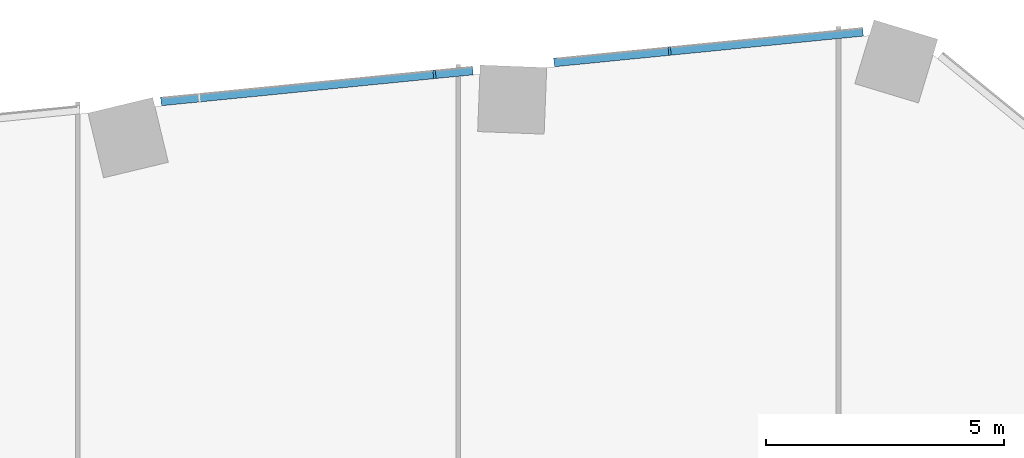
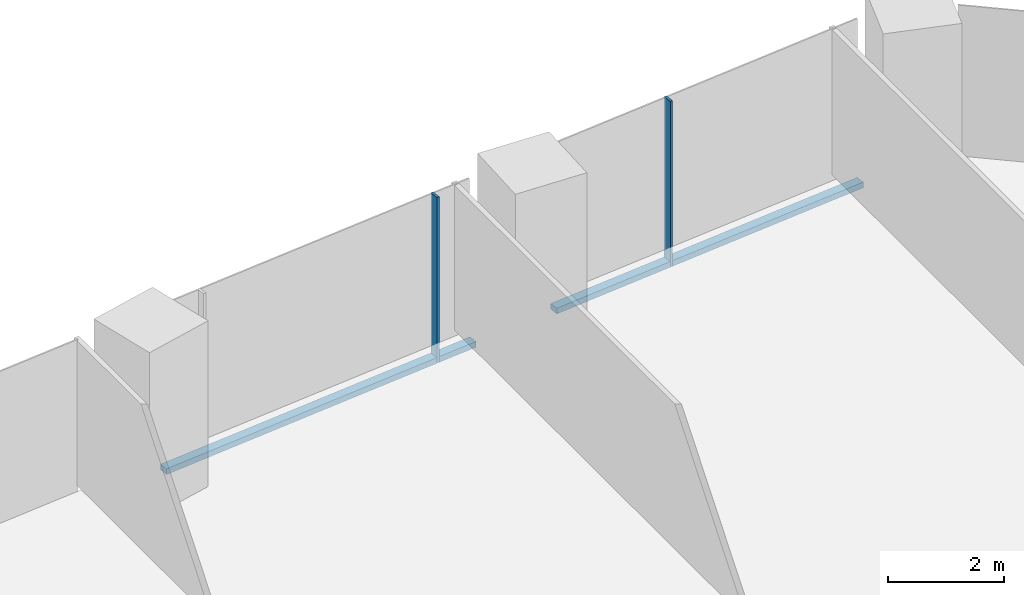
# One storey, part 13 of 34: 4 members, 1 element without a shape of its own.
"""IFC4 building model written with IfcOpenShell, lengths in metres."""

from ifc_helpers import new_model, si_unit, direction, frame, origin, origin_2d, place, context, subcontext, project, spatial, rectangle, extrude, material, material_profile, profile_set, type_object, element, aggregate, save


model = new_model("IFC4")

# Units and contexts
model_context = context("Model", 3, precision=1e-05, world=origin(), true_north=direction((0.0, 1.0)))
body_context = subcontext(model_context, "Body", "Model", "MODEL_VIEW")
ifc_project = project(units=[si_unit("LENGTHUNIT", "METRE"), si_unit("AREAUNIT", "SQUARE_METRE"), si_unit("VOLUMEUNIT", "CUBIC_METRE"), si_unit("PLANEANGLEUNIT", "RADIAN"), si_unit("MASSUNIT", "GRAM", prefix="KILO")], contexts=[model_context])

# Site, building, storey
site_placement = place(None, origin())
site = spatial("IfcSite", under=ifc_project, at=site_placement, CompositionType="ELEMENT")
building_placement = place(site_placement, origin())
building = spatial("IfcBuilding", under=site, at=building_placement, Name="Orlundy Tower", CompositionType="ELEMENT")
storey_placement = place(building_placement, frame((0.0, 0.0, 40.800048828125)))
storey = spatial("IfcBuildingStorey", under=building, at=storey_placement, Name="L08", CompositionType="ELEMENT", Elevation=40.800048828125)

# Curtain wall, members
ifc_material_1 = material(Name="Aluminium bronze anodised", Category="aluminium")
curtain_wall_type = type_object("IfcCurtainWallType", Name="CW1 wall", PredefinedType="NOTDEFINED", material=ifc_material_1)
curtain_wall_placement = place(storey_placement, origin())
curtain_wall = element("IfcCurtainWall", 1, at=curtain_wall_placement, inside=storey, type_object=curtain_wall_type, Name="CW1 run 03", PredefinedType="NOTDEFINED")
ifc_material_2 = material(Name="Aluminium bronze anodised", Category="aluminium")
ifc_material_profile_1 = material_profile(ifc_material_2, rectangle(XDim=0.179931640625, YDim=0.050048828125, at=origin_2d()), Name="CW1 mullion 50x180")
ifc_profile_set_1 = profile_set([ifc_material_profile_1], Name="Aluminium bronze anodised")
member_type_1 = type_object("IfcMemberType", Name="CW1 mullion 50x180", PredefinedType="MULLION", material=ifc_profile_set_1)
member_1_placement = place(storey_placement, frame((-0.498291015625, 30.18798828125, -0.420166015625), z_axis=(0.0, 0.0, 1.0), x_axis=(-0.098742763424, 0.995112991912, 0.0)))
member_1 = element("IfcMember", 2, at=member_1_placement, type_object=member_type_1, Name="CW1 mullion 17", PredefinedType="MULLION", context=body_context, shape_type="SweptSolid", body=[
    extrude(rectangle(XDim=0.179931640625, YDim=0.050048828125, at=origin_2d()), origin(), (0.0, 0.0, 1.0), 3.5),
])
member_2_placement = place(storey_placement, frame((4.447998046875, 30.6787109375, -0.420166015625), z_axis=(0.0, 0.0, 1.0), x_axis=(-0.098742763424, 0.995112991912, 0.0)))
member_2 = element("IfcMember", 3, at=member_2_placement, type_object=member_type_1, Name="CW1 mullion 18", PredefinedType="MULLION", context=body_context, shape_type="SweptSolid", body=[
    extrude(rectangle(XDim=0.179931640625, YDim=0.050048828125, at=origin_2d()), origin(), (0.0, 0.0, 1.0), 3.5),
])
ifc_material_3 = material(Name="Aluminium bronze anodised", Category="aluminium")
ifc_material_profile_2 = material_profile(ifc_material_3, rectangle(XDim=0.179931640625, YDim=0.1201171875, at=origin_2d()), Name="CW1 transom 180x120")
ifc_profile_set_2 = profile_set([ifc_material_profile_2], Name="Aluminium bronze anodised")
member_type_2 = type_object("IfcMemberType", Name="CW1 transom 180x120", PredefinedType="USERDEFINED", material=ifc_profile_set_2)
member_3_placement = place(storey_placement, frame((-6.2509765625, 29.6171875, -0.360107421875), z_axis=(0.995113533405, 0.098737306191, 0.0), x_axis=(-0.098737306191, 0.995113533405, 0.0)))
member_3 = element("IfcMember", 4, at=member_3_placement, type_object=member_type_2, Name="CW1 transom", ObjectType="TRANSOM", PredefinedType="USERDEFINED", context=body_context, shape_type="SweptSolid", body=[
    extrude(rectangle(XDim=0.179931640625, YDim=0.1201171875, at=origin_2d()), origin(), (0.0, 0.0, 1.0), 6.592041015625),
])
member_4_placement = place(storey_placement, frame((2.0166015625, 30.4375, -0.360107421875), z_axis=(0.995114612043, 0.098726434651, 0.0), x_axis=(-0.098726434651, 0.995114612043, 0.0)))
member_4 = element("IfcMember", 5, at=member_4_placement, type_object=member_type_2, Name="CW1 transom", ObjectType="TRANSOM", PredefinedType="USERDEFINED", context=body_context, shape_type="SweptSolid", body=[
    extrude(rectangle(XDim=0.179931640625, YDim=0.1201171875, at=origin_2d()), origin(), (0.0, 0.0, 1.0), 6.531005859375),
])
aggregate(curtain_wall, [member_1, member_2, member_3, member_4])

save(model, "model.ifc")
